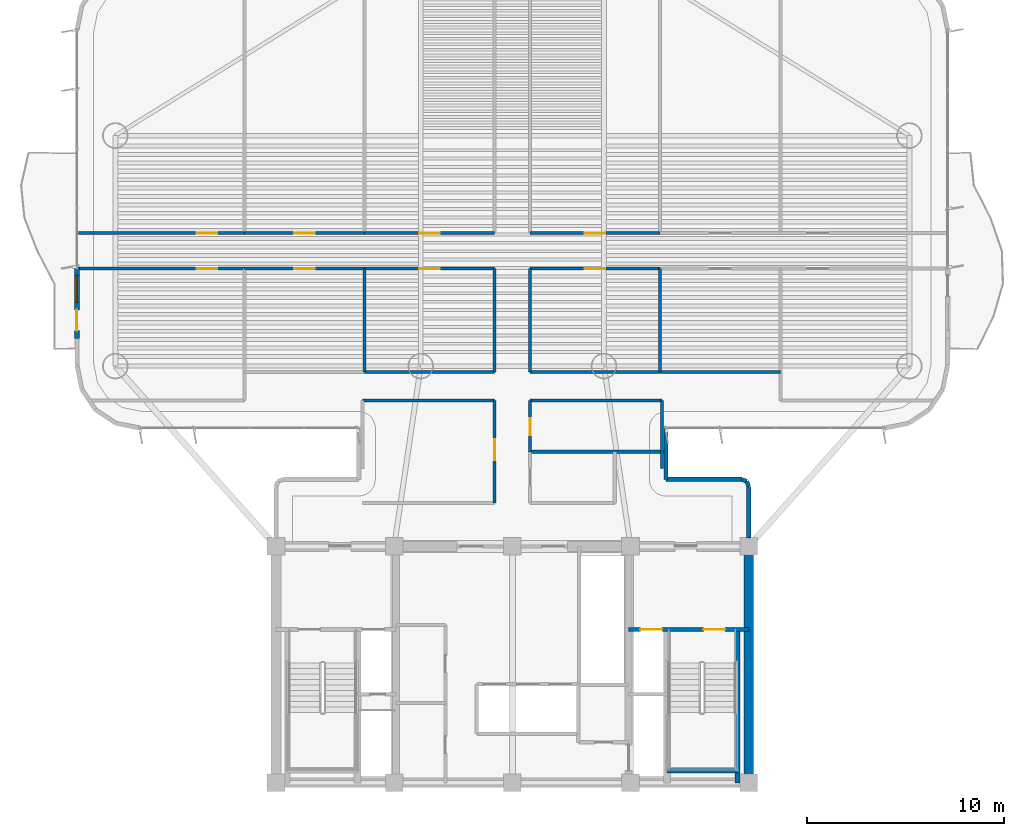
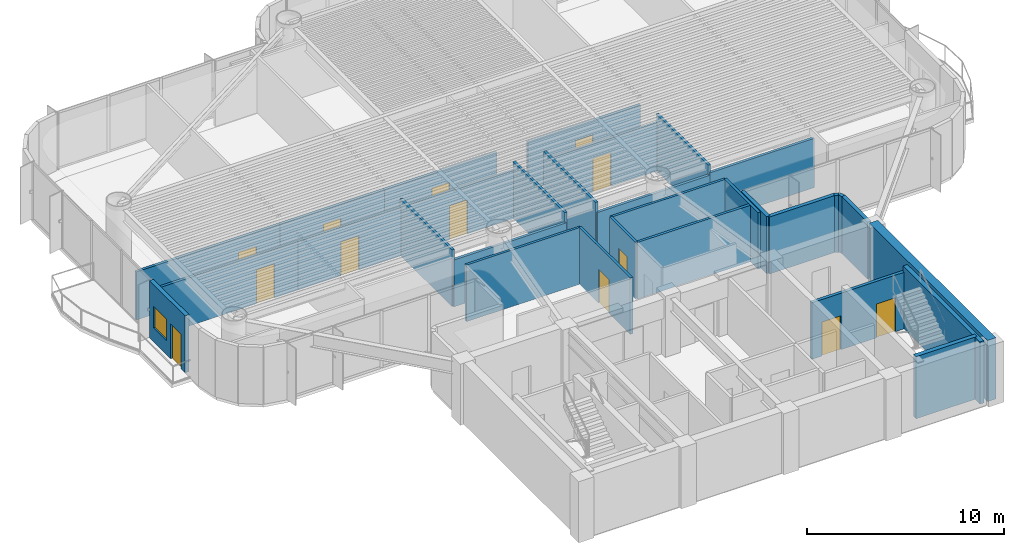
# One storey, part 10 of 16: 31 walls, 13 doors, 1 window, 14 openings.
"""IFC4 building model written with IfcOpenShell, lengths in metres."""

from ifc_helpers import new_model, si_unit, direction, frame, frame_2d, origin, origin_2d, place, context, subcontext, project, spatial, rectangle, extrude, source, transform, mapped, material, layer, layer_set, type_object, element, fill, save


model = new_model("IFC4")

# Units and contexts
model_context = context("Model", 3, precision=1e-05, world=origin(), true_north=direction((0.0, 1.0)))
body_context = subcontext(model_context, "Body", "Model", "MODEL_VIEW")
ifc_project = project(units=[si_unit("LENGTHUNIT", "METRE"), si_unit("AREAUNIT", "SQUARE_METRE"), si_unit("VOLUMEUNIT", "CUBIC_METRE"), si_unit("PLANEANGLEUNIT", "RADIAN"), si_unit("MASSUNIT", "GRAM", prefix="KILO")], contexts=[model_context])

# Site, building, storey
site_placement = place(None, origin())
site = spatial("IfcSite", under=ifc_project, at=site_placement, CompositionType="ELEMENT")
building_placement = place(site_placement, origin())
building = spatial("IfcBuilding", under=site, at=building_placement, Name="Brelvock Crest Care Tower", CompositionType="ELEMENT")
storey_placement = place(building_placement, frame((0.0, 0.0, 108.719970703125)))
storey = spatial("IfcBuildingStorey", under=building, at=storey_placement, Name="L27", CompositionType="ELEMENT", Elevation=108.719970703125)

# Walls
ifc_material_1 = material(Name="Concrete S80 (80 MPa)", Category="concrete")
ifc_layer_1 = layer(ifc_material_1, 0.5, Name="WL-CS2")
ifc_layer_set_1 = layer_set([ifc_layer_1], Name="Concrete S80 (80 MPa)")
wall_type_1 = type_object("IfcWallType", Name="WL-CS2", PredefinedType="SHEAR", material=ifc_layer_set_1)
wall_1_placement = place(storey_placement, frame((48.0, 18.0, 0.0), z_axis=(0.0, 0.0, 1.0), x_axis=(0.0, -1.0, 0.0)))
element("IfcWall", 1, at=wall_1_placement, inside=storey, type_object=wall_type_1, Name="L27 Core East Shear Wall", PredefinedType="SHEAR", context=body_context, shape_type="SweptSolid", body=[
    extrude(rectangle(XDim=12.0, YDim=0.5, at=frame_2d((6.0, 0.0))), origin(), (0.0, 0.0, 1.0), 3.780029296875),
])
ifc_layer_2 = layer(ifc_material_1, 0.25, Name="WL-CS6")
ifc_layer_set_2 = layer_set([ifc_layer_2], Name="Concrete S80 (80 MPa)")
wall_type_2 = type_object("IfcWallType", Name="WL-CS6", PredefinedType="SHEAR", material=ifc_layer_set_2)
wall_2_placement = place(storey_placement, frame((47.419921875, 6.0, 0.0), z_axis=(0.0, 0.0, 1.0), x_axis=(0.0, 1.0, 0.0)))
element("IfcWall", 2, at=wall_2_placement, inside=storey, type_object=wall_type_2, Name="L27 Core Stair ST-2 East Shear Wall", PredefinedType="SHEAR", context=body_context, shape_type="SweptSolid", body=[
    extrude(rectangle(XDim=7.780029296875, YDim=0.25, at=frame_2d((3.89013671875, 0.0))), origin(), (0.0, 0.0, 1.0), 3.85009765625),
])
wall_3_placement = place(storey_placement, frame((43.85009765625, 6.6201171875, 0.0), z_axis=(0.0, 0.0, 1.0), x_axis=(1.0, 0.0, 0.0)))
element("IfcWall", 3, at=wall_3_placement, inside=storey, type_object=wall_type_2, Name="L27 Core Stair ST-2 South Shear Wall", PredefinedType="SHEAR", context=body_context, shape_type="SweptSolid", body=[
    extrude(rectangle(XDim=3.56982421875, YDim=0.25, at=frame_2d((1.784912109375, 0.0))), origin(), (0.0, 0.0, 1.0), 3.85009765625),
])

# Wall, openings, door, window
ifc_material_2 = material(Name="Precast concrete N40 (40 MPa)", Category="concrete")
ifc_layer_3 = layer(ifc_material_2, 0.239990234375, Name="WL-EX1")
ifc_layer_set_3 = layer_set([ifc_layer_3], Name="Precast concrete N40 (40 MPa)")
wall_type_3 = type_object("IfcWallType", Name="WL-EX1", PredefinedType="SOLIDWALL", material=ifc_layer_set_3)
wall_4_placement = place(storey_placement, frame((13.89990234375, 28.550048828125, 0.0), z_axis=(0.0, 0.0, 1.0), x_axis=(0.0, 1.0, 0.0)))
wall_4 = element("IfcWall", 4, at=wall_4_placement, inside=storey, type_object=wall_type_3, Name="L27 Exterior Spandrel Wall WL-BAL-L27-W", PredefinedType="SOLIDWALL", context=body_context, shape_type="SweptSolid", body=[
    extrude(rectangle(XDim=3.599853515625, YDim=0.239990234375, at=frame_2d((1.7998046875, 0.0))), origin(), (0.0, 0.0, 1.0), 3.530029296875),
])
opening_1_placement = place(wall_4_placement, frame((0.39990234375, 0.0, 0.0)))
opening_1 = element("IfcOpeningElement", 5, at=opening_1_placement, cuts=wall_4, Name="Opening BD-1", PredefinedType="OPENING", context=body_context, shape_type="SweptSolid", body=[
    extrude(rectangle(XDim=1.050048828125, YDim=2.14990234375, at=origin_2d()), frame((0.52490234375, 0.1298828125, 1.074951171875), z_axis=(0.0, -1.0, 0.0), x_axis=(1.0, 0.0, 0.0)), (0.0, 0.0, 1.0), 0.260009765625),
])
opening_2_placement = place(wall_4_placement, frame((1.85009765625, 0.0, 0.85009765625)))
opening_2 = element("IfcOpeningElement", 6, at=opening_2_placement, cuts=wall_4, Name="Opening W-01", PredefinedType="OPENING", context=body_context, shape_type="SweptSolid", body=[
    extrude(rectangle(XDim=1.35009765625, YDim=1.35009765625, at=origin_2d()), frame((0.675048828125, 0.1298828125, 0.675048828125), z_axis=(0.0, -1.0, 0.0), x_axis=(1.0, 0.0, 0.0)), (0.0, 0.0, 1.0), 0.260009765625),
])
ifc_material_3 = material(Name="Dark Glass Double Glazed Low-E", Category="glass")
door_type_1 = type_object("IfcDoorType", Name="DR-BAL1", OperationType="NOTDEFINED", PredefinedType="DOOR", material=ifc_material_3)
shared_shape_1 = source(origin(), body_context, "Body", "SweptSolid", [
    extrude(rectangle(XDim=1.050048828125, YDim=2.14990234375, at=origin_2d()), frame((0.52490234375, 0.02490234375, 1.074951171875), z_axis=(0.0, -1.0, 0.0), x_axis=(1.0, 0.0, 0.0)), (0.0, 0.0, 1.0), 0.050048828125),
])
door_1_placement = place(opening_1_placement, origin())
door_1 = element("IfcDoor", 7, at=door_1_placement, inside=storey, type_object=door_type_1, Name="L27 W Wave Balcony Glazed Door", OperationType="SINGLE_SWING_LEFT", OverallHeight=2.14990234375, OverallWidth=1.050048828125, PredefinedType="DOOR", context=body_context, shape_type="MappedRepresentation", body=[
    mapped(shared_shape_1, transform((0.0, 0.0, 0.0), x_axis=(1.0, 0.0, 0.0), y_axis=(0.0, 1.0, 0.0), z_axis=(0.0, 0.0, 1.0), scale=1.0)),
])
fill(opening_1, door_1)
window_type = type_object("IfcWindowType", Name="WN-EX1", PartitioningType="SINGLE_PANEL", PredefinedType="WINDOW", material=ifc_material_3)
shared_shape_2 = source(origin(), body_context, "Body", "SweptSolid", [
    extrude(rectangle(XDim=1.35009765625, YDim=1.35009765625, at=origin_2d()), frame((0.675048828125, 0.030029296875, 0.675048828125), z_axis=(0.0, -1.0, 0.0), x_axis=(1.0, 0.0, 0.0)), (0.0, 0.0, 1.0), 0.06005859375),
])
window_placement = place(opening_2_placement, origin())
window = element("IfcWindow", 8, at=window_placement, inside=storey, type_object=window_type, Name="L27 W Suite Casement Window", OverallHeight=1.35009765625, OverallWidth=1.35009765625, PartitioningType="SINGLE_PANEL", PredefinedType="WINDOW", context=body_context, shape_type="MappedRepresentation", body=[
    mapped(shared_shape_2, transform((0.0, 0.0, 0.0), x_axis=(1.0, 0.0, 0.0), y_axis=(0.0, 1.0, 0.0), z_axis=(0.0, 0.0, 1.0), scale=1.0)),
])
fill(opening_2, window)

# Walls
ifc_layer_4 = layer(ifc_material_2, 0.215087890625, Name="WL-EX2")
ifc_layer_set_4 = layer_set([ifc_layer_4], Name="Precast concrete N40 (40 MPa)")
wall_type_4 = type_object("IfcWallType", Name="WL-EX2", PredefinedType="SOLIDWALL", material=ifc_layer_set_4)
wall_5_placement = place(storey_placement, frame((47.8974609375, 21.297607421875, 0.0), z_axis=(0.0, 0.0, 1.0), x_axis=(0.382673670509, -0.923883575944, 0.0)))
element("IfcWall", 9, at=wall_5_placement, inside=storey, type_object=wall_type_4, Name="L27 Rounded Corner Wall 00", PredefinedType="SOLIDWALL", context=body_context, shape_type="SweptSolid", body=[
    extrude(rectangle(XDim=0.26806640625, YDim=0.215087890625, at=frame_2d((0.134033203125, 0.0))), origin(), (0.0, 0.0, 1.0), 3.530029296875),
])
wall_6_placement = place(storey_placement, frame((48.0, 21.050048828125, 0.0), z_axis=(0.0, 0.0, 1.0), x_axis=(0.0, -1.0, 0.0)))
element("IfcWall", 10, at=wall_6_placement, inside=storey, type_object=wall_type_4, Name="L27 Rounded Corner Wall 01", PredefinedType="SOLIDWALL", context=body_context, shape_type="SweptSolid", body=[
    extrude(rectangle(XDim=2.6201171875, YDim=0.215087890625, at=frame_2d((1.31005859375, 0.0))), origin(), (0.0, 0.0, 1.0), 3.530029296875),
])
wall_7_placement = place(storey_placement, frame((43.800048828125, 24.0, 0.0), z_axis=(0.0, 0.0, 1.0), x_axis=(0.0, -1.0, 0.0)))
element("IfcWall", 11, at=wall_7_placement, inside=storey, type_object=wall_type_4, Name="L27 Rounded Corner Wall 45", PredefinedType="SOLIDWALL", context=body_context, shape_type="SweptSolid", body=[
    extrude(rectangle(XDim=2.60009765625, YDim=0.215087890625, at=frame_2d((1.300048828125, 0.0))), origin(), (0.0, 0.0, 1.0), 3.530029296875),
])
wall_8_placement = place(storey_placement, frame((43.800048828125, 21.39990234375, 0.0), z_axis=(0.0, 0.0, 1.0), x_axis=(1.0, 0.0, 0.0)))
element("IfcWall", 12, at=wall_8_placement, inside=storey, type_object=wall_type_4, Name="L27 Rounded Corner Wall 46", PredefinedType="SOLIDWALL", context=body_context, shape_type="SweptSolid", body=[
    extrude(rectangle(XDim=3.849853515625, YDim=0.215087890625, at=frame_2d((1.9248046875, 0.0))), origin(), (0.0, 0.0, 1.0), 3.530029296875),
])
wall_9_placement = place(storey_placement, frame((47.64990234375, 21.39990234375, 0.0), z_axis=(0.0, 0.0, 1.0), x_axis=(0.924205486139, -0.381895560841, 0.0)))
element("IfcWall", 13, at=wall_9_placement, inside=storey, type_object=wall_type_4, Name="L27 Rounded Corner Wall 47", PredefinedType="SOLIDWALL", context=body_context, shape_type="SweptSolid", body=[
    extrude(rectangle(XDim=0.267822265625, YDim=0.215087890625, at=frame_2d((0.1337890625, 0.0))), origin(), (0.0, 0.0, 1.0), 3.530029296875),
])
ifc_material_4 = material(Name="Masonry Blockwork Acoustic Partition", Category="masonry")
ifc_layer_5 = layer(ifc_material_4, 0.14990234375, Name="WL-INT1")
ifc_layer_set_5 = layer_set([ifc_layer_5], Name="Masonry Blockwork Acoustic Partition")
wall_type_5 = type_object("IfcWallType", Name="WL-INT1", PredefinedType="PARTITIONING", material=ifc_layer_set_5)
for number, where, z_axis, x_axis, name in (
    (14, (28.39990234375, 25.39990234375, 0.0), (0.0, 0.0, 1.0), (1.0, 0.0, 0.0), "L27 Interior Wall WL-BX-L27-THW-N"),
    (15, (36.89990234375, 25.39990234375, 0.0), (0.0, 0.0, 1.0), (1.0, 0.0, 0.0), "L27 Interior Wall WL-BX-L27-THE2-N"),
):
    element("IfcWall", number, at=place(storey_placement, frame(where, z_axis=z_axis, x_axis=x_axis)), inside=storey, type_object=wall_type_5, Name=name, PredefinedType="PARTITIONING", context=body_context, shape_type="SweptSolid", body=[
        extrude(rectangle(XDim=6.7001953125, YDim=0.14990234375, at=frame_2d((3.35009765625, 0.0))), origin(), (0.0, 0.0, 1.0), 3.5),
    ])
for number, where, z_axis, x_axis, name in (
    (16, (28.5, 26.85009765625, 0.0), (0.0, 0.0, 1.0), (1.0, 0.0, 0.0), "L27 Interior Wall WL-BX-L27-ISWB-S"),
    (17, (36.89990234375, 26.85009765625, 0.0), (0.0, 0.0, 1.0), (1.0, 0.0, 0.0), "L27 Interior Wall WL-BX-L27-ISEA-S"),
):
    element("IfcWall", number, at=place(storey_placement, frame(where, z_axis=z_axis, x_axis=x_axis)), inside=storey, type_object=wall_type_5, Name=name, PredefinedType="PARTITIONING", context=body_context, shape_type="SweptSolid", body=[
        extrude(rectangle(XDim=6.60009765625, YDim=0.14990234375, at=frame_2d((3.300048828125, 0.0))), origin(), (0.0, 0.0, 1.0), 2.903076171875),
    ])
wall_10_placement = place(storey_placement, frame((43.5, 26.85009765625, 0.0), z_axis=(0.0, 0.0, 1.0), x_axis=(1.0, 0.0, 0.0)))
element("IfcWall", 18, at=wall_10_placement, inside=storey, type_object=wall_type_5, Name="L27 Interior Wall WL-BX-L27-ISEB-S", PredefinedType="PARTITIONING", context=body_context, shape_type="SweptSolid", body=[
    extrude(rectangle(XDim=6.10009765625, YDim=0.14990234375, at=frame_2d((3.050048828125, 0.0))), origin(), (0.0, 0.0, 1.0), 3.054931640625),
])

# Wall, opening, door
wall_11_placement = place(storey_placement, frame((13.97998046875, 32.10009765625, 0.0), z_axis=(0.0, 0.0, 1.0), x_axis=(1.0, 0.0, 0.0)))
wall_11 = element("IfcWall", 19, at=wall_11_placement, inside=storey, type_object=wall_type_5, Name="L27 Interior Wall WL-RM-L27-SW", PredefinedType="PARTITIONING", context=body_context, shape_type="SweptSolid", body=[
    extrude(rectangle(XDim=8.419921875, YDim=0.14990234375, at=frame_2d((4.2099609375, 0.0))), origin(), (0.0, 0.0, 1.0), 2.98193359375),
])
opening_3_placement = place(wall_11_placement, frame((5.9951171875, 0.0, 0.0)))
opening_3 = element("IfcOpeningElement", 20, at=opening_3_placement, cuts=wall_11, Name="Opening CLD-1", PredefinedType="OPENING", context=body_context, shape_type="SweptSolid", body=[
    extrude(rectangle(XDim=1.050048828125, YDim=2.10009765625, at=origin_2d()), frame((0.52490234375, 0.0849609375, 1.050048828125), z_axis=(0.0, -1.0, 0.0), x_axis=(1.0, 0.0, 0.0)), (0.0, 0.0, 1.0), 0.169921875),
])
ifc_material_5 = material(Name="Engineered Hardwood Timber", Category="wood")
door_type_2 = type_object("IfcDoorType", Name="DR-CLN1", OperationType="NOTDEFINED", PredefinedType="DOOR", material=ifc_material_5)
shared_shape_3 = source(origin(), body_context, "Body", "SweptSolid", [
    extrude(rectangle(XDim=1.050048828125, YDim=2.10009765625, at=origin_2d()), frame((0.52490234375, 0.02490234375, 1.050048828125), z_axis=(0.0, -1.0, 0.0), x_axis=(1.0, 0.0, 0.0)), (0.0, 0.0, 1.0), 0.050048828125),
])
door_2_placement = place(opening_3_placement, origin())
door_2 = element("IfcDoor", 21, at=door_2_placement, inside=storey, type_object=door_type_2, Name="L27 Rehabilitation Therapy Suite Door SW", OperationType="SINGLE_SWING_LEFT", OverallHeight=2.10009765625, OverallWidth=1.050048828125, PredefinedType="DOOR", context=body_context, shape_type="MappedRepresentation", body=[
    mapped(shared_shape_3, transform((0.0, 0.0, 0.0), x_axis=(1.0, 0.0, 0.0), y_axis=(0.0, 1.0, 0.0), z_axis=(0.0, 0.0, 1.0), scale=1.0)),
])
fill(opening_3, door_2)

wall_12_placement = place(storey_placement, frame((22.39990234375, 32.10009765625, 0.0), z_axis=(0.0, 0.0, 1.0), x_axis=(1.0, 0.0, 0.0)))
wall_12 = element("IfcWall", 22, at=wall_12_placement, inside=storey, type_object=wall_type_5, Name="L27 Interior Wall WL-RM-L27-ISWA", PredefinedType="PARTITIONING", context=body_context, shape_type="SweptSolid", body=[
    extrude(rectangle(XDim=6.10009765625, YDim=0.14990234375, at=frame_2d((3.050048828125, 0.0))), origin(), (0.0, 0.0, 1.0), 2.98193359375),
])
opening_4_placement = place(wall_12_placement, frame((2.52490234375, 0.0, 0.0)))
opening_4 = element("IfcOpeningElement", 23, at=opening_4_placement, cuts=wall_12, Name="Opening CLD-1", PredefinedType="OPENING", context=body_context, shape_type="SweptSolid", body=[
    extrude(rectangle(XDim=1.050048828125, YDim=2.10009765625, at=origin_2d()), frame((0.52490234375, 0.0849609375, 1.050048828125), z_axis=(0.0, -1.0, 0.0), x_axis=(1.0, 0.0, 0.0)), (0.0, 0.0, 1.0), 0.169921875),
])
door_3_placement = place(opening_4_placement, origin())
door_3 = element("IfcDoor", 24, at=door_3_placement, inside=storey, type_object=door_type_2, Name="L27 Occupational Rehab Gym Door ISWA", OperationType="SINGLE_SWING_LEFT", OverallHeight=2.10009765625, OverallWidth=1.050048828125, PredefinedType="DOOR", context=body_context, shape_type="MappedRepresentation", body=[
    mapped(shared_shape_3, transform((0.0, 0.0, 0.0), x_axis=(1.0, 0.0, 0.0), y_axis=(0.0, 1.0, 0.0), z_axis=(0.0, 0.0, 1.0), scale=1.0)),
])
fill(opening_4, door_3)

wall_13_placement = place(storey_placement, frame((28.5, 32.10009765625, 0.0), z_axis=(0.0, 0.0, 1.0), x_axis=(1.0, 0.0, 0.0)))
wall_13 = element("IfcWall", 25, at=wall_13_placement, inside=storey, type_object=wall_type_5, Name="L27 Interior Wall WL-RM-L27-ISWB", PredefinedType="PARTITIONING", context=body_context, shape_type="SweptSolid", body=[
    extrude(rectangle(XDim=6.60009765625, YDim=0.14990234375, at=frame_2d((3.300048828125, 0.0))), origin(), (0.0, 0.0, 1.0), 2.98193359375),
])
opening_5_placement = place(wall_13_placement, frame((2.77490234375, 0.0, 0.0)))
opening_5 = element("IfcOpeningElement", 26, at=opening_5_placement, cuts=wall_13, Name="Opening CLD-1", PredefinedType="OPENING", context=body_context, shape_type="SweptSolid", body=[
    extrude(rectangle(XDim=1.050048828125, YDim=2.10009765625, at=origin_2d()), frame((0.52490234375, 0.0849609375, 1.050048828125), z_axis=(0.0, -1.0, 0.0), x_axis=(1.0, 0.0, 0.0)), (0.0, 0.0, 1.0), 0.169921875),
])
door_4_placement = place(opening_5_placement, origin())
door_4 = element("IfcDoor", 27, at=door_4_placement, inside=storey, type_object=door_type_2, Name="L27 Geriatric Hydro-Consultation Door ISWB", OperationType="SINGLE_SWING_LEFT", OverallHeight=2.10009765625, OverallWidth=1.050048828125, PredefinedType="DOOR", context=body_context, shape_type="MappedRepresentation", body=[
    mapped(shared_shape_3, transform((0.0, 0.0, 0.0), x_axis=(1.0, 0.0, 0.0), y_axis=(0.0, 1.0, 0.0), z_axis=(0.0, 0.0, 1.0), scale=1.0)),
])
fill(opening_5, door_4)

wall_14_placement = place(storey_placement, frame((36.89990234375, 32.10009765625, 0.0), z_axis=(0.0, 0.0, 1.0), x_axis=(1.0, 0.0, 0.0)))
wall_14 = element("IfcWall", 28, at=wall_14_placement, inside=storey, type_object=wall_type_5, Name="L27 Interior Wall WL-RM-L27-ISEA", PredefinedType="PARTITIONING", context=body_context, shape_type="SweptSolid", body=[
    extrude(rectangle(XDim=6.60009765625, YDim=0.14990234375, at=frame_2d((3.300048828125, 0.0))), origin(), (0.0, 0.0, 1.0), 2.98193359375),
])
opening_6_placement = place(wall_14_placement, frame((2.77490234375, 0.0, 0.0)))
opening_6 = element("IfcOpeningElement", 29, at=opening_6_placement, cuts=wall_14, Name="Opening CLD-1", PredefinedType="OPENING", context=body_context, shape_type="SweptSolid", body=[
    extrude(rectangle(XDim=1.050048828125, YDim=2.10009765625, at=origin_2d()), frame((0.52490234375, 0.0849609375, 1.050048828125), z_axis=(0.0, -1.0, 0.0), x_axis=(1.0, 0.0, 0.0)), (0.0, 0.0, 1.0), 0.169921875),
])
door_5_placement = place(opening_6_placement, origin())
door_5 = element("IfcDoor", 30, at=door_5_placement, inside=storey, type_object=door_type_2, Name="L27 Occupational Rehab Gym Door ISEA", OperationType="SINGLE_SWING_LEFT", OverallHeight=2.10009765625, OverallWidth=1.050048828125, PredefinedType="DOOR", context=body_context, shape_type="MappedRepresentation", body=[
    mapped(shared_shape_3, transform((0.0, 0.0, 0.0), x_axis=(1.0, 0.0, 0.0), y_axis=(0.0, 1.0, 0.0), z_axis=(0.0, 0.0, 1.0), scale=1.0)),
])
fill(opening_6, door_5)

wall_15_placement = place(storey_placement, frame((13.97998046875, 33.89990234375, 0.0), z_axis=(0.0, 0.0, 1.0), x_axis=(1.0, 0.0, 0.0)))
wall_15 = element("IfcWall", 31, at=wall_15_placement, inside=storey, type_object=wall_type_5, Name="L27 Interior Wall WL-RM-L27-NW", PredefinedType="PARTITIONING", context=body_context, shape_type="SweptSolid", body=[
    extrude(rectangle(XDim=8.419921875, YDim=0.14990234375, at=frame_2d((4.2099609375, 0.0))), origin(), (0.0, 0.0, 1.0), 2.98193359375),
])
opening_7_placement = place(wall_15_placement, frame((5.9951171875, 0.0, 0.0)))
opening_7 = element("IfcOpeningElement", 32, at=opening_7_placement, cuts=wall_15, Name="Opening CLD-1", PredefinedType="OPENING", context=body_context, shape_type="SweptSolid", body=[
    extrude(rectangle(XDim=1.050048828125, YDim=2.10009765625, at=origin_2d()), frame((0.52490234375, 0.0849609375, 1.050048828125), z_axis=(0.0, -1.0, 0.0), x_axis=(1.0, 0.0, 0.0)), (0.0, 0.0, 1.0), 0.169921875),
])
door_6_placement = place(opening_7_placement, origin())
door_6 = element("IfcDoor", 33, at=door_6_placement, inside=storey, type_object=door_type_2, Name="L27 Rehabilitation Therapy Suite Door NW", OperationType="SINGLE_SWING_LEFT", OverallHeight=2.10009765625, OverallWidth=1.050048828125, PredefinedType="DOOR", context=body_context, shape_type="MappedRepresentation", body=[
    mapped(shared_shape_3, transform((0.0, 0.0, 0.0), x_axis=(1.0, 0.0, 0.0), y_axis=(0.0, 1.0, 0.0), z_axis=(0.0, 0.0, 1.0), scale=1.0)),
])
fill(opening_7, door_6)

wall_16_placement = place(storey_placement, frame((22.39990234375, 33.89990234375, 0.0), z_axis=(0.0, 0.0, 1.0), x_axis=(1.0, 0.0, 0.0)))
wall_16 = element("IfcWall", 34, at=wall_16_placement, inside=storey, type_object=wall_type_5, Name="L27 Interior Wall WL-RM-L27-INWA", PredefinedType="PARTITIONING", context=body_context, shape_type="SweptSolid", body=[
    extrude(rectangle(XDim=6.10009765625, YDim=0.14990234375, at=frame_2d((3.050048828125, 0.0))), origin(), (0.0, 0.0, 1.0), 2.98193359375),
])
opening_8_placement = place(wall_16_placement, frame((2.52490234375, 0.0, 0.0)))
opening_8 = element("IfcOpeningElement", 35, at=opening_8_placement, cuts=wall_16, Name="Opening CLD-1", PredefinedType="OPENING", context=body_context, shape_type="SweptSolid", body=[
    extrude(rectangle(XDim=1.050048828125, YDim=2.10009765625, at=origin_2d()), frame((0.52490234375, 0.0849609375, 1.050048828125), z_axis=(0.0, -1.0, 0.0), x_axis=(1.0, 0.0, 0.0)), (0.0, 0.0, 1.0), 0.169921875),
])
door_7_placement = place(opening_8_placement, origin())
door_7 = element("IfcDoor", 36, at=door_7_placement, inside=storey, type_object=door_type_2, Name="L27 Occupational Rehab Gym Door INWA", OperationType="SINGLE_SWING_LEFT", OverallHeight=2.10009765625, OverallWidth=1.050048828125, PredefinedType="DOOR", context=body_context, shape_type="MappedRepresentation", body=[
    mapped(shared_shape_3, transform((0.0, 0.0, 0.0), x_axis=(1.0, 0.0, 0.0), y_axis=(0.0, 1.0, 0.0), z_axis=(0.0, 0.0, 1.0), scale=1.0)),
])
fill(opening_8, door_7)

wall_17_placement = place(storey_placement, frame((28.5, 33.89990234375, 0.0), z_axis=(0.0, 0.0, 1.0), x_axis=(1.0, 0.0, 0.0)))
wall_17 = element("IfcWall", 37, at=wall_17_placement, inside=storey, type_object=wall_type_5, Name="L27 Interior Wall WL-RM-L27-INWB", PredefinedType="PARTITIONING", context=body_context, shape_type="SweptSolid", body=[
    extrude(rectangle(XDim=6.60009765625, YDim=0.14990234375, at=frame_2d((3.300048828125, 0.0))), origin(), (0.0, 0.0, 1.0), 2.98193359375),
])
opening_9_placement = place(wall_17_placement, frame((2.77490234375, 0.0, 0.0)))
opening_9 = element("IfcOpeningElement", 38, at=opening_9_placement, cuts=wall_17, Name="Opening CLD-1", PredefinedType="OPENING", context=body_context, shape_type="SweptSolid", body=[
    extrude(rectangle(XDim=1.050048828125, YDim=2.10009765625, at=origin_2d()), frame((0.52490234375, 0.0849609375, 1.050048828125), z_axis=(0.0, -1.0, 0.0), x_axis=(1.0, 0.0, 0.0)), (0.0, 0.0, 1.0), 0.169921875),
])
door_8_placement = place(opening_9_placement, origin())
door_8 = element("IfcDoor", 39, at=door_8_placement, inside=storey, type_object=door_type_2, Name="L27 Geriatric Hydro-Consultation Door INWB", OperationType="SINGLE_SWING_LEFT", OverallHeight=2.10009765625, OverallWidth=1.050048828125, PredefinedType="DOOR", context=body_context, shape_type="MappedRepresentation", body=[
    mapped(shared_shape_3, transform((0.0, 0.0, 0.0), x_axis=(1.0, 0.0, 0.0), y_axis=(0.0, 1.0, 0.0), z_axis=(0.0, 0.0, 1.0), scale=1.0)),
])
fill(opening_9, door_8)

wall_18_placement = place(storey_placement, frame((36.89990234375, 33.89990234375, 0.0), z_axis=(0.0, 0.0, 1.0), x_axis=(1.0, 0.0, 0.0)))
wall_18 = element("IfcWall", 40, at=wall_18_placement, inside=storey, type_object=wall_type_5, Name="L27 Interior Wall WL-RM-L27-INEA", PredefinedType="PARTITIONING", context=body_context, shape_type="SweptSolid", body=[
    extrude(rectangle(XDim=6.60009765625, YDim=0.14990234375, at=frame_2d((3.300048828125, 0.0))), origin(), (0.0, 0.0, 1.0), 2.98193359375),
])
opening_10_placement = place(wall_18_placement, frame((2.77490234375, 0.0, 0.0)))
opening_10 = element("IfcOpeningElement", 41, at=opening_10_placement, cuts=wall_18, Name="Opening CLD-1", PredefinedType="OPENING", context=body_context, shape_type="SweptSolid", body=[
    extrude(rectangle(XDim=1.050048828125, YDim=2.10009765625, at=origin_2d()), frame((0.52490234375, 0.0849609375, 1.050048828125), z_axis=(0.0, -1.0, 0.0), x_axis=(1.0, 0.0, 0.0)), (0.0, 0.0, 1.0), 0.169921875),
])
door_9_placement = place(opening_10_placement, origin())
door_9 = element("IfcDoor", 42, at=door_9_placement, inside=storey, type_object=door_type_2, Name="L27 Occupational Rehab Gym Door INEA", OperationType="SINGLE_SWING_LEFT", OverallHeight=2.10009765625, OverallWidth=1.050048828125, PredefinedType="DOOR", context=body_context, shape_type="MappedRepresentation", body=[
    mapped(shared_shape_3, transform((0.0, 0.0, 0.0), x_axis=(1.0, 0.0, 0.0), y_axis=(0.0, 1.0, 0.0), z_axis=(0.0, 0.0, 1.0), scale=1.0)),
])
fill(opening_10, door_9)

# Wall
wall_19_placement = place(storey_placement, frame((28.5, 26.85009765625, 0.0), z_axis=(0.0, 0.0, 1.0), x_axis=(0.0, 1.0, 0.0)))
element("IfcWall", 43, at=wall_19_placement, inside=storey, type_object=wall_type_5, Name="L27 Interior Wall WL-BX-L27-ISWA-E", PredefinedType="PARTITIONING", context=body_context, shape_type="SweptSolid", body=[
    extrude(rectangle(XDim=5.25, YDim=0.14990234375, at=frame_2d((2.625, 0.0))), origin(), (0.0, 0.0, 1.0), 3.5),
])

# Wall, opening, door
wall_20_placement = place(storey_placement, frame((35.10009765625, 20.199951171875, 0.0), z_axis=(0.0, 0.0, 1.0), x_axis=(0.0, 1.0, 0.0)))
wall_20 = element("IfcWall", 44, at=wall_20_placement, inside=storey, type_object=wall_type_5, Name="L27 Interior Wall WL-RM-L27-THW", PredefinedType="PARTITIONING", context=body_context, shape_type="SweptSolid", body=[
    extrude(rectangle(XDim=5.199951171875, YDim=0.14990234375, at=frame_2d((2.60009765625, 0.0))), origin(), (0.0, 0.0, 1.0), 3.5),
])
opening_11_placement = place(wall_20_placement, frame((2.175048828125, 0.0, 0.0)))
opening_11 = element("IfcOpeningElement", 45, at=opening_11_placement, cuts=wall_20, Name="Opening CLD-1", PredefinedType="OPENING", context=body_context, shape_type="SweptSolid", body=[
    extrude(rectangle(XDim=1.050048828125, YDim=2.10009765625, at=origin_2d()), frame((0.52490234375, 0.0849609375, 1.050048828125), z_axis=(0.0, -1.0, 0.0), x_axis=(1.0, 0.0, 0.0)), (0.0, 0.0, 1.0), 0.169921875),
])
door_10_placement = place(opening_11_placement, origin())
door_10 = element("IfcDoor", 46, at=door_10_placement, inside=storey, type_object=door_type_2, Name="L27 Allied Health Consultation Room Door THW", OperationType="SINGLE_SWING_LEFT", OverallHeight=2.10009765625, OverallWidth=1.050048828125, PredefinedType="DOOR", context=body_context, shape_type="MappedRepresentation", body=[
    mapped(shared_shape_3, transform((0.0, 0.0, 0.0), x_axis=(1.0, 0.0, 0.0), y_axis=(0.0, 1.0, 0.0), z_axis=(0.0, 0.0, 1.0), scale=1.0)),
])
fill(opening_11, door_10)

# Wall
wall_21_placement = place(storey_placement, frame((35.10009765625, 26.85009765625, 0.0), z_axis=(0.0, 0.0, 1.0), x_axis=(0.0, 1.0, 0.0)))
element("IfcWall", 47, at=wall_21_placement, inside=storey, type_object=wall_type_5, Name="L27 Interior Wall WL-BX-L27-ISWB-E", PredefinedType="PARTITIONING", context=body_context, shape_type="SweptSolid", body=[
    extrude(rectangle(XDim=5.25, YDim=0.14990234375, at=frame_2d((2.625, 0.0))), origin(), (0.0, 0.0, 1.0), 3.5),
])

# Wall, opening, door
wall_22_placement = place(storey_placement, frame((36.89990234375, 22.800048828125, 0.0), z_axis=(0.0, 0.0, 1.0), x_axis=(0.0, 1.0, 0.0)))
wall_22 = element("IfcWall", 48, at=wall_22_placement, inside=storey, type_object=wall_type_5, Name="L27 Interior Wall WL-RM-L27-THE2", PredefinedType="PARTITIONING", context=body_context, shape_type="SweptSolid", body=[
    extrude(rectangle(XDim=2.599853515625, YDim=0.14990234375, at=frame_2d((1.2998046875, 0.0))), origin(), (0.0, 0.0, 1.0), 3.5),
])
opening_12_placement = place(wall_22_placement, frame((0.840087890625, 0.0, 0.0)))
opening_12 = element("IfcOpeningElement", 49, at=opening_12_placement, cuts=wall_22, Name="Opening ID-1", PredefinedType="OPENING", context=body_context, shape_type="SweptSolid", body=[
    extrude(rectangle(XDim=0.860107421875, YDim=2.10009765625, at=origin_2d()), frame((0.43017578125, 0.0849609375, 1.050048828125), z_axis=(0.0, -1.0, 0.0), x_axis=(1.0, 0.0, 0.0)), (0.0, 0.0, 1.0), 0.169921875),
])
door_type_3 = type_object("IfcDoorType", Name="DR-INT1", OperationType="NOTDEFINED", PredefinedType="DOOR", material=ifc_material_5)
shared_shape_4 = source(origin(), body_context, "Body", "SweptSolid", [
    extrude(rectangle(XDim=0.860107421875, YDim=2.10009765625, at=origin_2d()), frame((0.43017578125, 0.02490234375, 1.050048828125), z_axis=(0.0, -1.0, 0.0), x_axis=(1.0, 0.0, 0.0)), (0.0, 0.0, 1.0), 0.050048828125),
])
door_11_placement = place(opening_12_placement, origin())
door_11 = element("IfcDoor", 50, at=door_11_placement, inside=storey, type_object=door_type_3, Name="L27 Care Coordinator Office Door THE2", OperationType="SINGLE_SWING_LEFT", OverallHeight=2.10009765625, OverallWidth=0.860107421875, PredefinedType="DOOR", context=body_context, shape_type="MappedRepresentation", body=[
    mapped(shared_shape_4, transform((0.0, 0.0, 0.0), x_axis=(1.0, 0.0, 0.0), y_axis=(0.0, 1.0, 0.0), z_axis=(0.0, 0.0, 1.0), scale=1.0)),
])
fill(opening_12, door_11)

# Walls
for number, where, z_axis, x_axis, name in (
    (51, (36.89990234375, 26.85009765625, 0.0), (0.0, 0.0, 1.0), (0.0, 1.0, 0.0), "L27 Interior Wall WL-BX-L27-ISEA-W"),
    (52, (43.5, 26.85009765625, 0.0), (0.0, 0.0, 1.0), (0.0, 1.0, 0.0), "L27 Interior Wall WL-BX-L27-ISEA-E"),
):
    element("IfcWall", number, at=place(storey_placement, frame(where, z_axis=z_axis, x_axis=x_axis)), inside=storey, type_object=wall_type_5, Name=name, PredefinedType="PARTITIONING", context=body_context, shape_type="SweptSolid", body=[
        extrude(rectangle(XDim=5.25, YDim=0.14990234375, at=frame_2d((2.625, 0.0))), origin(), (0.0, 0.0, 1.0), 3.5),
    ])
wall_23_placement = place(storey_placement, frame((43.60009765625, 21.95751953125, 0.0), z_axis=(0.0, 0.0, 1.0), x_axis=(0.0, 1.0, 0.0)))
element("IfcWall", 53, at=wall_23_placement, inside=storey, type_object=wall_type_5, Name="L27 Interior Wall WL-BX-L27-THE2-E", PredefinedType="PARTITIONING", context=body_context, shape_type="SweptSolid", body=[
    extrude(rectangle(XDim=3.4423828125, YDim=0.14990234375, at=frame_2d((1.72119140625, 0.0))), origin(), (0.0, 0.0, 1.0), 3.5),
])
ifc_material_6 = material(Name="Gypsum Plasterboard Partition", Category="gypsum")
ifc_layer_6 = layer(ifc_material_6, 0.159912109375, Name="WL-PLM1")
ifc_layer_set_6 = layer_set([ifc_layer_6], Name="Gypsum Plasterboard Partition")
wall_type_6 = type_object("IfcWallType", Name="WL-PLM1", PredefinedType="PLUMBINGWALL", material=ifc_layer_set_6)
wall_24_placement = place(storey_placement, frame((36.89990234375, 22.800048828125, 0.0), z_axis=(0.0, 0.0, 1.0), x_axis=(1.0, 0.0, 0.0)))
element("IfcWall", 54, at=wall_24_placement, inside=storey, type_object=wall_type_6, Name="L27 Interior Wall WL-BX-L27-THE2-S", PredefinedType="PLUMBINGWALL", context=body_context, shape_type="SweptSolid", body=[
    extrude(rectangle(XDim=6.820068359375, YDim=0.159912109375, at=frame_2d((3.41015625, 0.0))), origin(), (0.0, 0.0, 1.0), 3.5),
])

# Wall, openings, doors
ifc_layer_7 = layer(ifc_material_4, 0.179931640625, Name="WL-SHF1")
ifc_layer_set_7 = layer_set([ifc_layer_7], Name="Masonry Blockwork Acoustic Partition")
wall_type_7 = type_object("IfcWallType", Name="WL-SHF1", PredefinedType="PARTITIONING", material=ifc_layer_set_7)
wall_25_placement = place(storey_placement, frame((41.89990234375, 13.780029296875, 0.0), z_axis=(0.0, 0.0, 1.0), x_axis=(1.0, 0.0, 0.0)))
wall_25 = element("IfcWall", 55, at=wall_25_placement, inside=storey, type_object=wall_type_7, Name="L27 Interior Wall WL-ST2-N-L27", PredefinedType="PARTITIONING", context=body_context, shape_type="SweptSolid", body=[
    extrude(rectangle(XDim=6.10009765625, YDim=0.179931640625, at=frame_2d((3.050048828125, 0.0))), origin(), (0.0, 0.0, 1.0), 3.5),
])
opening_13_placement = place(wall_25_placement, frame((0.60009765625, 0.0, 0.0)))
opening_13 = element("IfcOpeningElement", 56, at=opening_13_placement, cuts=wall_25, Name="Opening LD", PredefinedType="OPENING", context=body_context, shape_type="SweptSolid", body=[
    extrude(rectangle(XDim=1.10009765625, YDim=2.10009765625, at=origin_2d()), frame((0.550048828125, 0.10009765625, 1.050048828125), z_axis=(0.0, -1.0, 0.0), x_axis=(1.0, 0.0, 0.0)), (0.0, 0.0, 1.0), 0.199951171875),
])
opening_14_placement = place(wall_25_placement, frame((3.800048828125, 0.0, 0.0)))
opening_14 = element("IfcOpeningElement", 57, at=opening_14_placement, cuts=wall_25, Name="Opening SD-1", PredefinedType="OPENING", context=body_context, shape_type="SweptSolid", body=[
    extrude(rectangle(XDim=1.10009765625, YDim=2.10009765625, at=origin_2d()), frame((0.550048828125, 0.10009765625, 1.050048828125), z_axis=(0.0, -1.0, 0.0), x_axis=(1.0, 0.0, 0.0)), (0.0, 0.0, 1.0), 0.199951171875),
])
ifc_material_7 = material(Name="Steel Grade 350", Category="steel")
door_type_4 = type_object("IfcDoorType", Name="DR-ST1", OperationType="NOTDEFINED", PredefinedType="DOOR", material=ifc_material_7)
shared_shape_5 = source(origin(), body_context, "Body", "SweptSolid", [
    extrude(rectangle(XDim=1.10009765625, YDim=2.10009765625, at=origin_2d()), frame((0.550048828125, 0.02490234375, 1.050048828125), z_axis=(0.0, -1.0, 0.0), x_axis=(1.0, 0.0, 0.0)), (0.0, 0.0, 1.0), 0.050048828125),
])
door_12_placement = place(opening_14_placement, origin())
door_12 = element("IfcDoor", 58, at=door_12_placement, inside=storey, type_object=door_type_4, Name="L27 Fire Stair ST-2 Door", OperationType="SINGLE_SWING_RIGHT", OverallHeight=2.10009765625, OverallWidth=1.10009765625, PredefinedType="DOOR", context=body_context, shape_type="MappedRepresentation", body=[
    mapped(shared_shape_5, transform((0.0, 0.0, 0.0), x_axis=(1.0, 0.0, 0.0), y_axis=(0.0, 1.0, 0.0), z_axis=(0.0, 0.0, 1.0), scale=1.0)),
])
fill(opening_14, door_12)
door_type_5 = type_object("IfcDoorType", Name="DR-LD1", OperationType="NOTDEFINED", PredefinedType="DOOR", material=ifc_material_7)
shared_shape_6 = source(origin(), body_context, "Body", "SweptSolid", [
    extrude(rectangle(XDim=1.10009765625, YDim=2.10009765625, at=origin_2d()), frame((0.550048828125, 0.02490234375, 1.050048828125), z_axis=(0.0, -1.0, 0.0), x_axis=(1.0, 0.0, 0.0)), (0.0, 0.0, 1.0), 0.050048828125),
])
door_13_placement = place(opening_13_placement, origin())
door_13 = element("IfcDoor", 59, at=door_13_placement, inside=storey, type_object=door_type_5, Name="L27 Firefighting Lift FFL-2 Landing Door", OperationType="SLIDING_TO_RIGHT", OverallHeight=2.10009765625, OverallWidth=1.10009765625, PredefinedType="DOOR", context=body_context, shape_type="MappedRepresentation", body=[
    mapped(shared_shape_6, transform((0.0, 0.0, 0.0), x_axis=(1.0, 0.0, 0.0), y_axis=(0.0, 1.0, 0.0), z_axis=(0.0, 0.0, 1.0), scale=1.0)),
])
fill(opening_13, door_13)

save(model, "model.ifc")
